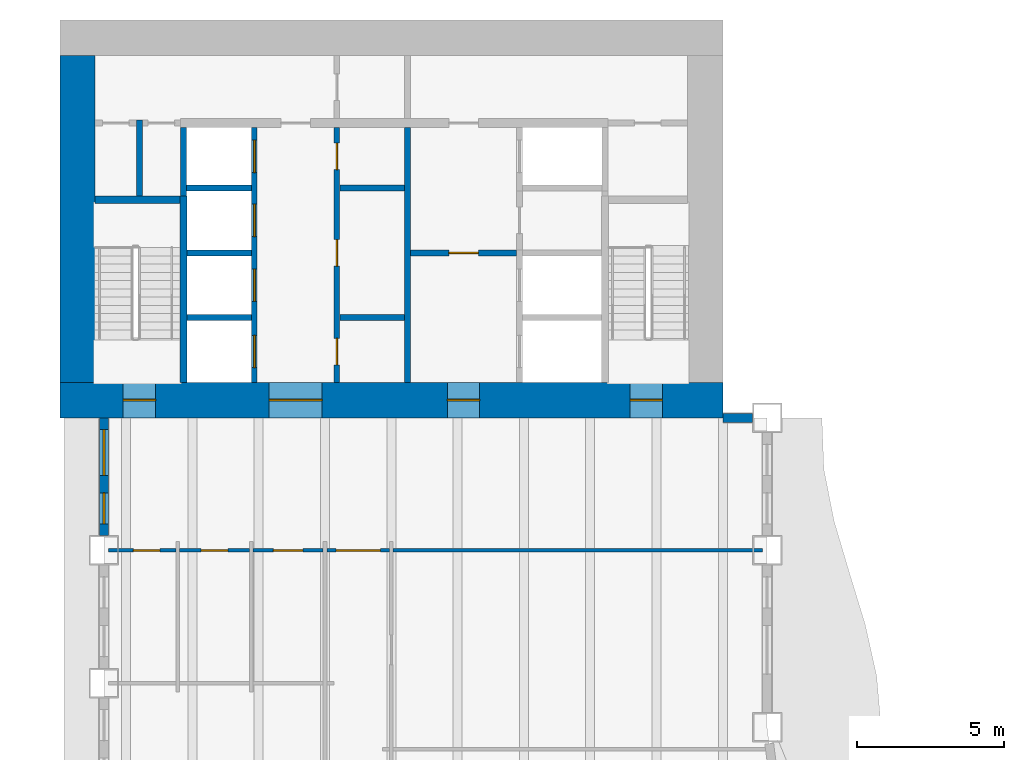
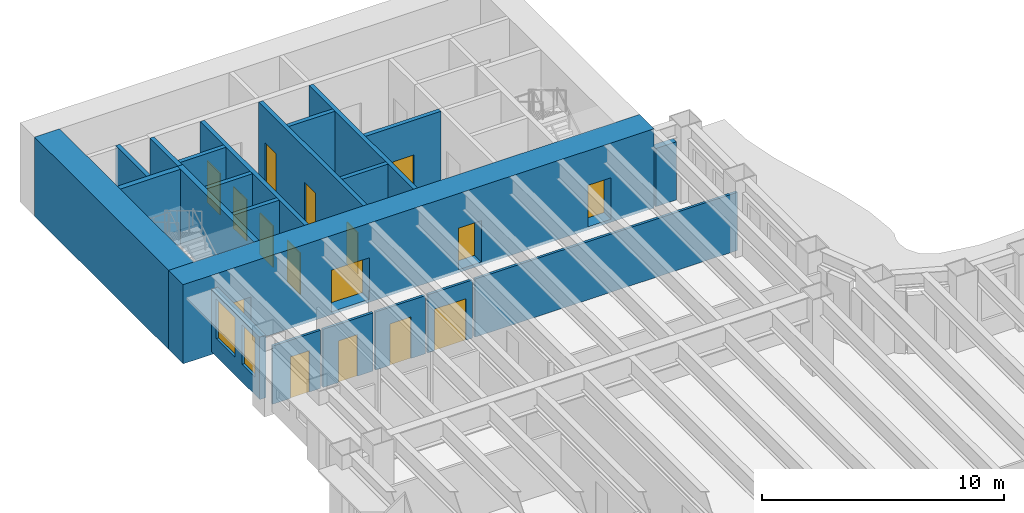
# One storey, part 8 of 16: 22 walls, 16 doors, 2 windows, 18 openings.
"""IFC4 building model written with IfcOpenShell, lengths in metres."""

from ifc_helpers import new_model, si_unit, direction, frame, frame_2d, origin, place, context, subcontext, project, spatial, rectangle, extrude, material, layer, layer_set, type_object, element, fill, save


model = new_model("IFC4")

# Units and contexts
model_context = context("Model", 3, precision=1e-05, world=origin(), true_north=direction((0.0, 1.0)))
body_context = subcontext(model_context, "Body", "Model", "MODEL_VIEW")
ifc_project = project(units=[si_unit("LENGTHUNIT", "METRE"), si_unit("AREAUNIT", "SQUARE_METRE"), si_unit("VOLUMEUNIT", "CUBIC_METRE"), si_unit("PLANEANGLEUNIT", "RADIAN"), si_unit("MASSUNIT", "GRAM", prefix="KILO")], contexts=[model_context])

# Site, building, storey
site_placement = place(None, origin())
site = spatial("IfcSite", under=ifc_project, at=site_placement, CompositionType="ELEMENT")
building_placement = place(site_placement, origin())
building = spatial("IfcBuilding", under=site, at=building_placement, Name="Sennacour Bend Tower", CompositionType="ELEMENT")
storey_placement = place(building_placement, frame((0.0, 0.0, 103.0)))
storey = spatial("IfcBuildingStorey", under=building, at=storey_placement, Name="L23", CompositionType="ELEMENT", Elevation=103.0)

# Wall, openings, doors
ifc_material_1 = material(Name="Concrete C80/95", Category="concrete")
ifc_layer_1 = layer(ifc_material_1, 1.199951171875, Name="Concrete C80/95", Category="concrete")
ifc_layer_set_1 = layer_set([ifc_layer_1], Name="Concrete C80/95")
wall_type_1 = type_object("IfcWallType", Name="Core wall 1200 C80/95", PredefinedType="SHEAR", material=ifc_layer_set_1)
wall_1_placement = place(storey_placement, frame((0.0, 36.60009765625, -0.14990234375), z_axis=(0.0, 0.0, 1.0), x_axis=(1.0, 0.0, 0.0)))
wall_1 = element("IfcWall", 1, at=wall_1_placement, inside=storey, type_object=wall_type_1, Name="Core B wall L23 S", PredefinedType="SHEAR", context=body_context, shape_type="SweptSolid", body=[
    extrude(rectangle(XDim=22.5, YDim=1.199951171875, at=frame_2d((11.25, 0.0))), origin(), (0.0, 0.0, 1.0), 4.0),
])
opening_1_placement = place(wall_1_placement, frame((7.10009765625, 0.0, 0.14990234375)))
opening_1 = element("IfcOpeningElement", 2, at=opening_1_placement, cuts=wall_1, Name="Opening CD", PredefinedType="OPENING", context=body_context, shape_type="SweptSolid", body=[
    extrude(rectangle(XDim=1.800048828125, YDim=2.10009765625, at=frame_2d((0.89990234375, 1.050048828125))), frame((0.0, 0.60986328125, 0.0), z_axis=(0.0, -1.0, 0.0), x_axis=(1.0, 0.0, 0.0)), (0.0, 0.0, 1.0), 1.219970703125),
])
opening_2_placement = place(wall_1_placement, frame((13.14990234375, 0.0, 0.14990234375)))
opening_2 = element("IfcOpeningElement", 3, at=opening_2_placement, cuts=wall_1, Name="Opening FD", PredefinedType="OPENING", context=body_context, shape_type="SweptSolid", body=[
    extrude(rectangle(XDim=1.10009765625, YDim=2.10009765625, at=frame_2d((0.550048828125, 1.050048828125))), frame((0.0, 0.60986328125, 0.0), z_axis=(0.0, -1.0, 0.0), x_axis=(1.0, 0.0, 0.0)), (0.0, 0.0, 1.0), 1.219970703125),
])
opening_3_placement = place(wall_1_placement, frame((2.14990234375, 0.0, 0.14990234375)))
opening_3 = element("IfcOpeningElement", 4, at=opening_3_placement, cuts=wall_1, Name="Opening SD", PredefinedType="OPENING", context=body_context, shape_type="SweptSolid", body=[
    extrude(rectangle(XDim=1.10009765625, YDim=2.10009765625, at=frame_2d((0.550048828125, 1.050048828125))), frame((0.0, 0.60986328125, 0.0), z_axis=(0.0, -1.0, 0.0), x_axis=(1.0, 0.0, 0.0)), (0.0, 0.0, 1.0), 1.219970703125),
])
opening_4_placement = place(wall_1_placement, frame((19.35009765625, 0.0, 0.14990234375)))
opening_4 = element("IfcOpeningElement", 5, at=opening_4_placement, cuts=wall_1, Name="Opening SD", PredefinedType="OPENING", context=body_context, shape_type="SweptSolid", body=[
    extrude(rectangle(XDim=1.10009765625, YDim=2.10009765625, at=frame_2d((0.550048828125, 1.050048828125))), frame((0.0, 0.60986328125, 0.0), z_axis=(0.0, -1.0, 0.0), x_axis=(1.0, 0.0, 0.0)), (0.0, 0.0, 1.0), 1.219970703125),
])
ifc_material_2 = material(Name="Painted steel", Category="steel")
door_type_1 = type_object("IfcDoorType", Name="DR-FFL-1100", OperationType="NOTDEFINED", PredefinedType="DOOR", material=ifc_material_2)
door_1_placement = place(opening_2_placement, origin())
door_1 = element("IfcDoor", 6, at=door_1_placement, inside=storey, type_object=door_type_1, Name="Door", OperationType="SINGLE_SWING_RIGHT", OverallHeight=2.10009765625, OverallWidth=1.10009765625, PredefinedType="DOOR", context=body_context, shape_type="SweptSolid", body=[
    extrude(rectangle(XDim=1.10009765625, YDim=2.10009765625, at=frame_2d((0.550048828125, 1.050048828125))), frame((0.0, 0.02490234375, 0.0), z_axis=(0.0, -1.0, 0.0), x_axis=(1.0, 0.0, 0.0)), (0.0, 0.0, 1.0), 0.050048828125),
])
fill(opening_2, door_1)
door_type_2 = type_object("IfcDoorType", Name="DR-LOBBY-1800", OperationType="NOTDEFINED", PredefinedType="DOOR", material=ifc_material_2)
door_2_placement = place(opening_1_placement, origin())
door_2 = element("IfcDoor", 7, at=door_2_placement, inside=storey, type_object=door_type_2, Name="Door", OperationType="DOUBLE_DOOR_SINGLE_SWING", OverallHeight=2.10009765625, OverallWidth=1.800048828125, PredefinedType="DOOR", context=body_context, shape_type="SweptSolid", body=[
    extrude(rectangle(XDim=1.800048828125, YDim=2.10009765625, at=frame_2d((0.89990234375, 1.050048828125))), frame((0.0, 0.02490234375, 0.0), z_axis=(0.0, -1.0, 0.0), x_axis=(1.0, 0.0, 0.0)), (0.0, 0.0, 1.0), 0.050048828125),
])
fill(opening_1, door_2)
door_type_3 = type_object("IfcDoorType", Name="DR-STAIR-1100", OperationType="NOTDEFINED", PredefinedType="DOOR", material=ifc_material_2)
door_3_placement = place(opening_3_placement, origin())
door_3 = element("IfcDoor", 8, at=door_3_placement, inside=storey, type_object=door_type_3, Name="Door", OperationType="SINGLE_SWING_LEFT", OverallHeight=2.10009765625, OverallWidth=1.10009765625, PredefinedType="DOOR", context=body_context, shape_type="SweptSolid", body=[
    extrude(rectangle(XDim=1.10009765625, YDim=2.10009765625, at=frame_2d((0.550048828125, 1.050048828125))), frame((0.0, 0.02490234375, 0.0), z_axis=(0.0, -1.0, 0.0), x_axis=(1.0, 0.0, 0.0)), (0.0, 0.0, 1.0), 0.050048828125),
])
fill(opening_3, door_3)
door_4_placement = place(opening_4_placement, origin())
door_4 = element("IfcDoor", 9, at=door_4_placement, inside=storey, type_object=door_type_3, Name="Door", OperationType="SINGLE_SWING_RIGHT", OverallHeight=2.10009765625, OverallWidth=1.10009765625, PredefinedType="DOOR", context=body_context, shape_type="SweptSolid", body=[
    extrude(rectangle(XDim=1.10009765625, YDim=2.10009765625, at=frame_2d((0.550048828125, 1.050048828125))), frame((0.0, 0.02490234375, 0.0), z_axis=(0.0, -1.0, 0.0), x_axis=(1.0, 0.0, 0.0)), (0.0, 0.0, 1.0), 0.050048828125),
])
fill(opening_4, door_4)

# Wall
wall_2_placement = place(storey_placement, frame((0.60009765625, 37.199951171875, -0.14990234375), z_axis=(0.0, 0.0, 1.0), x_axis=(0.0, 1.0, 0.0)))
element("IfcWall", 10, at=wall_2_placement, inside=storey, type_object=wall_type_1, Name="Core B wall L23 W", PredefinedType="SHEAR", context=body_context, shape_type="SweptSolid", body=[
    extrude(rectangle(XDim=11.10009765625, YDim=1.199951171875, at=frame_2d((5.550048828125, 0.0))), origin(), (0.0, 0.0, 1.0), 4.0),
])

# Wall, opening, door
ifc_material_3 = material(Name="Plasterboard partition on steel studs", Category="steel")
ifc_layer_2 = layer(ifc_material_3, 0.1201171875, Name="Plasterboard partition on steel studs", Category="steel")
ifc_layer_set_2 = layer_set([ifc_layer_2], Name="Plasterboard partition on steel studs")
wall_type_2 = type_object("IfcWallType", Name="Partition 120", PredefinedType="PARTITIONING", material=ifc_layer_set_2)
wall_3_placement = place(storey_placement, frame((1.64990234375, 31.5, 0.0), z_axis=(0.0, 0.0, 1.0), x_axis=(1.0, 0.0, 0.0)))
wall_3 = element("IfcWall", 11, at=wall_3_placement, inside=storey, type_object=wall_type_2, Name="P-L23-W076aa", PredefinedType="PARTITIONING", context=body_context, shape_type="SweptSolid", body=[
    extrude(rectangle(XDim=2.2900390625, YDim=0.1201171875, at=frame_2d((1.14501953125, 0.0))), origin(), (0.0, 0.0, 1.0), 2.93798828125),
])
opening_5_placement = place(wall_3_placement, frame((0.85009765625, 0.0, 0.0)))
opening_5 = element("IfcOpeningElement", 12, at=opening_5_placement, cuts=wall_3, Name="Opening WD", PredefinedType="OPENING", context=body_context, shape_type="SweptSolid", body=[
    extrude(rectangle(XDim=0.89990234375, YDim=2.10009765625, at=frame_2d((0.449951171875, 1.050048828125))), frame((0.0, 0.070068359375, 0.0), z_axis=(0.0, -1.0, 0.0), x_axis=(1.0, 0.0, 0.0)), (0.0, 0.0, 1.0), 0.14013671875),
])
ifc_material_4 = material(Name="Timber", Category="wood")
door_type_4 = type_object("IfcDoorType", Name="DR-WC-900", OperationType="NOTDEFINED", PredefinedType="DOOR", material=ifc_material_4)
door_5_placement = place(opening_5_placement, origin())
door_5 = element("IfcDoor", 13, at=door_5_placement, inside=storey, type_object=door_type_4, Name="Door", OperationType="SINGLE_SWING_RIGHT", OverallHeight=2.10009765625, OverallWidth=0.89990234375, PredefinedType="DOOR", context=body_context, shape_type="SweptSolid", body=[
    extrude(rectangle(XDim=0.89990234375, YDim=2.10009765625, at=frame_2d((0.449951171875, 1.050048828125))), frame((0.0, 0.02490234375, 0.0), z_axis=(0.0, -1.0, 0.0), x_axis=(1.0, 0.0, 0.0)), (0.0, 0.0, 1.0), 0.050048828125),
])
fill(opening_5, door_5)

wall_4_placement = place(storey_placement, frame((4.06005859375, 31.5, 0.0), z_axis=(0.0, 0.0, 1.0), x_axis=(1.0, 0.0, 0.0)))
wall_4 = element("IfcWall", 14, at=wall_4_placement, inside=storey, type_object=wall_type_2, Name="P-L23-W076ab", PredefinedType="PARTITIONING", context=body_context, shape_type="SweptSolid", body=[
    extrude(rectangle(XDim=2.3798828125, YDim=0.1201171875, at=frame_2d((1.18994140625, 0.0))), origin(), (0.0, 0.0, 1.0), 2.93798828125),
])
opening_6_placement = place(wall_4_placement, frame((0.739990234375, 0.0, 0.0)))
opening_6 = element("IfcOpeningElement", 15, at=opening_6_placement, cuts=wall_4, Name="Opening WD", PredefinedType="OPENING", context=body_context, shape_type="SweptSolid", body=[
    extrude(rectangle(XDim=0.89990234375, YDim=2.10009765625, at=frame_2d((0.449951171875, 1.050048828125))), frame((0.0, 0.070068359375, 0.0), z_axis=(0.0, -1.0, 0.0), x_axis=(1.0, 0.0, 0.0)), (0.0, 0.0, 1.0), 0.14013671875),
])
door_6_placement = place(opening_6_placement, origin())
door_6 = element("IfcDoor", 16, at=door_6_placement, inside=storey, type_object=door_type_4, Name="Door", OperationType="SINGLE_SWING_LEFT", OverallHeight=2.10009765625, OverallWidth=0.89990234375, PredefinedType="DOOR", context=body_context, shape_type="SweptSolid", body=[
    extrude(rectangle(XDim=0.89990234375, YDim=2.10009765625, at=frame_2d((0.449951171875, 1.050048828125))), frame((0.0, 0.02490234375, 0.0), z_axis=(0.0, -1.0, 0.0), x_axis=(1.0, 0.0, 0.0)), (0.0, 0.0, 1.0), 0.050048828125),
])
fill(opening_6, door_6)

wall_5_placement = place(storey_placement, frame((6.56005859375, 31.5, 0.0), z_axis=(0.0, 0.0, 1.0), x_axis=(1.0, 0.0, 0.0)))
wall_5 = element("IfcWall", 17, at=wall_5_placement, inside=storey, type_object=wall_type_2, Name="P-L23-W076ac", PredefinedType="PARTITIONING", context=body_context, shape_type="SweptSolid", body=[
    extrude(rectangle(XDim=2.3798828125, YDim=0.1201171875, at=frame_2d((1.18994140625, 0.0))), origin(), (0.0, 0.0, 1.0), 2.93798828125),
])
opening_7_placement = place(wall_5_placement, frame((0.68994140625, 0.0, 0.0)))
opening_7 = element("IfcOpeningElement", 18, at=opening_7_placement, cuts=wall_5, Name="Opening AD", PredefinedType="OPENING", context=body_context, shape_type="SweptSolid", body=[
    extrude(rectangle(XDim=1.0, YDim=2.10009765625, at=frame_2d((0.5, 1.050048828125))), frame((0.0, 0.070068359375, 0.0), z_axis=(0.0, -1.0, 0.0), x_axis=(1.0, 0.0, 0.0)), (0.0, 0.0, 1.0), 0.14013671875),
])
door_type_5 = type_object("IfcDoorType", Name="DR-ACC-WC-1000", OperationType="NOTDEFINED", PredefinedType="DOOR", material=ifc_material_4)
door_7_placement = place(opening_7_placement, origin())
door_7 = element("IfcDoor", 19, at=door_7_placement, inside=storey, type_object=door_type_5, Name="Door", OperationType="SINGLE_SWING_LEFT", OverallHeight=2.10009765625, OverallWidth=1.0, PredefinedType="DOOR", context=body_context, shape_type="SweptSolid", body=[
    extrude(rectangle(XDim=1.0, YDim=2.10009765625, at=frame_2d((0.5, 1.050048828125))), frame((0.0, 0.02490234375, 0.0), z_axis=(0.0, -1.0, 0.0), x_axis=(1.0, 0.0, 0.0)), (0.0, 0.0, 1.0), 0.050048828125),
])
fill(opening_7, door_7)

# Wall
wall_6_placement = place(storey_placement, frame((11.31005859375, 31.5, 0.0), z_axis=(0.0, 0.0, 1.0), x_axis=(1.0, 0.0, 0.0)))
element("IfcWall", 20, at=wall_6_placement, inside=storey, type_object=wall_type_2, Name="P-L23-W076ae", PredefinedType="PARTITIONING", context=body_context, shape_type="SweptSolid", body=[
    extrude(rectangle(XDim=12.5400390625, YDim=0.1201171875, at=frame_2d((6.27001953125, 0.0))), origin(), (0.0, 0.0, 1.0), 2.93798828125),
])

# Wall, opening, door
ifc_layer_3 = layer(ifc_material_3, 0.1201171875, Name="Plasterboard partition on steel studs", Category="steel")
ifc_layer_set_3 = layer_set([ifc_layer_3], Name="Plasterboard partition on steel studs")
wall_type_3 = type_object("IfcWallType", Name="Partition 120 EI 30", PredefinedType="PARTITIONING", material=ifc_layer_set_3)
wall_7_placement = place(storey_placement, frame((9.06005859375, 31.5, 0.0), z_axis=(0.0, 0.0, 1.0), x_axis=(1.0, 0.0, 0.0)))
wall_7 = element("IfcWall", 21, at=wall_7_placement, inside=storey, type_object=wall_type_3, Name="P-L23-W076ad", PredefinedType="PARTITIONING", context=body_context, shape_type="SweptSolid", body=[
    extrude(rectangle(XDim=2.1298828125, YDim=0.1201171875, at=frame_2d((1.06494140625, 0.0))), origin(), (0.0, 0.0, 1.0), 2.93798828125),
])
opening_8_placement = place(wall_7_placement, frame((0.31494140625, 0.0, 0.0)))
opening_8 = element("IfcOpeningElement", 22, at=opening_8_placement, cuts=wall_7, Name="Opening KD", PredefinedType="OPENING", context=body_context, shape_type="SweptSolid", body=[
    extrude(rectangle(XDim=1.5, YDim=2.10009765625, at=frame_2d((0.75, 1.050048828125))), frame((0.0, 0.070068359375, 0.0), z_axis=(0.0, -1.0, 0.0), x_axis=(1.0, 0.0, 0.0)), (0.0, 0.0, 1.0), 0.14013671875),
])
door_type_6 = type_object("IfcDoorType", Name="DR-CORRIDOR-1500", OperationType="NOTDEFINED", PredefinedType="DOOR", material=ifc_material_2)
door_8_placement = place(opening_8_placement, origin())
door_8 = element("IfcDoor", 23, at=door_8_placement, inside=storey, type_object=door_type_6, Name="Door", OperationType="SINGLE_SWING_LEFT", OverallHeight=2.10009765625, OverallWidth=1.5, PredefinedType="DOOR", context=body_context, shape_type="SweptSolid", body=[
    extrude(rectangle(XDim=1.5, YDim=2.10009765625, at=frame_2d((0.75, 1.050048828125))), frame((0.0, 0.02490234375, 0.0), z_axis=(0.0, -1.0, 0.0), x_axis=(1.0, 0.0, 0.0)), (0.0, 0.0, 1.0), 0.050048828125),
])
fill(opening_8, door_8)

# Wall
ifc_material_5 = material(Name="Fire-rated plasterboard partition on steel studs", Category="steel")
ifc_layer_4 = layer(ifc_material_5, 0.199951171875, Name="Fire-rated plasterboard partition on steel studs", Category="steel")
ifc_layer_set_4 = layer_set([ifc_layer_4], Name="Fire-rated plasterboard partition on steel studs")
wall_type_4 = type_object("IfcWallType", Name="Rated partition 200", PredefinedType="PARTITIONING", material=ifc_layer_set_4)
wall_8_placement = place(storey_placement, frame((2.699951171875, 43.52490234375, 0.0), z_axis=(0.0, 0.0, 1.0), x_axis=(0.0, 1.0, 0.0)))
element("IfcWall", 24, at=wall_8_placement, inside=storey, type_object=wall_type_4, Name="P-L23-W004", PredefinedType="PARTITIONING", context=body_context, shape_type="SweptSolid", body=[
    extrude(rectangle(XDim=2.5751953125, YDim=0.199951171875, at=frame_2d((1.28759765625, 0.0))), origin(), (0.0, 0.0, 1.0), 3.85009765625),
])

# Wall, openings, doors
wall_9_placement = place(storey_placement, frame((9.39990234375, 37.199951171875, 0.0), z_axis=(0.0, 0.0, 1.0), x_axis=(0.0, 1.0, 0.0)))
wall_9 = element("IfcWall", 25, at=wall_9_placement, inside=storey, type_object=wall_type_4, Name="P-L23-W012a", PredefinedType="PARTITIONING", context=body_context, shape_type="SweptSolid", body=[
    extrude(rectangle(XDim=8.650146484375, YDim=0.199951171875, at=frame_2d((4.3251953125, 0.0))), origin(), (0.0, 0.0, 1.0), 3.85009765625),
])
opening_9_placement = place(wall_9_placement, frame((0.60009765625, 0.0, 0.0)))
opening_9 = element("IfcOpeningElement", 26, at=opening_9_placement, cuts=wall_9, Name="Opening SV", PredefinedType="OPENING", context=body_context, shape_type="SweptSolid", body=[
    extrude(rectangle(XDim=0.89990234375, YDim=2.10009765625, at=frame_2d((0.449951171875, 1.050048828125))), frame((0.0, 0.10986328125, 0.0), z_axis=(0.0, -1.0, 0.0), x_axis=(1.0, 0.0, 0.0)), (0.0, 0.0, 1.0), 0.219970703125),
])
opening_10_placement = place(wall_9_placement, frame((3.949951171875, 0.0, 0.0)))
opening_10 = element("IfcOpeningElement", 27, at=opening_10_placement, cuts=wall_9, Name="Opening WD", PredefinedType="OPENING", context=body_context, shape_type="SweptSolid", body=[
    extrude(rectangle(XDim=0.89990234375, YDim=2.10009765625, at=frame_2d((0.449951171875, 1.050048828125))), frame((0.0, 0.10986328125, 0.0), z_axis=(0.0, -1.0, 0.0), x_axis=(1.0, 0.0, 0.0)), (0.0, 0.0, 1.0), 0.219970703125),
])
opening_11_placement = place(wall_9_placement, frame((7.22509765625, 0.0, 0.0)))
opening_11 = element("IfcOpeningElement", 28, at=opening_11_placement, cuts=wall_9, Name="Opening SV", PredefinedType="OPENING", context=body_context, shape_type="SweptSolid", body=[
    extrude(rectangle(XDim=0.89990234375, YDim=2.10009765625, at=frame_2d((0.449951171875, 1.050048828125))), frame((0.0, 0.10986328125, 0.0), z_axis=(0.0, -1.0, 0.0), x_axis=(1.0, 0.0, 0.0)), (0.0, 0.0, 1.0), 0.219970703125),
])
door_type_7 = type_object("IfcDoorType", Name="DR-SERVICE-900", OperationType="NOTDEFINED", PredefinedType="DOOR", material=ifc_material_2)
door_9_placement = place(opening_9_placement, origin())
door_9 = element("IfcDoor", 29, at=door_9_placement, inside=storey, type_object=door_type_7, Name="Door", OperationType="SINGLE_SWING_LEFT", OverallHeight=2.10009765625, OverallWidth=0.89990234375, PredefinedType="DOOR", context=body_context, shape_type="SweptSolid", body=[
    extrude(rectangle(XDim=0.89990234375, YDim=2.10009765625, at=frame_2d((0.449951171875, 1.050048828125))), frame((0.0, 0.02490234375, 0.0), z_axis=(0.0, -1.0, 0.0), x_axis=(1.0, 0.0, 0.0)), (0.0, 0.0, 1.0), 0.050048828125),
])
fill(opening_9, door_9)
door_10_placement = place(opening_11_placement, origin())
door_10 = element("IfcDoor", 30, at=door_10_placement, inside=storey, type_object=door_type_7, Name="Door", OperationType="SINGLE_SWING_RIGHT", OverallHeight=2.10009765625, OverallWidth=0.89990234375, PredefinedType="DOOR", context=body_context, shape_type="SweptSolid", body=[
    extrude(rectangle(XDim=0.89990234375, YDim=2.10009765625, at=frame_2d((0.449951171875, 1.050048828125))), frame((0.0, 0.02490234375, 0.0), z_axis=(0.0, -1.0, 0.0), x_axis=(1.0, 0.0, 0.0)), (0.0, 0.0, 1.0), 0.050048828125),
])
fill(opening_11, door_10)
door_11_placement = place(opening_10_placement, origin())
door_11 = element("IfcDoor", 31, at=door_11_placement, inside=storey, type_object=door_type_4, Name="Door", OperationType="SINGLE_SWING_RIGHT", OverallHeight=2.10009765625, OverallWidth=0.89990234375, PredefinedType="DOOR", context=body_context, shape_type="SweptSolid", body=[
    extrude(rectangle(XDim=0.89990234375, YDim=2.10009765625, at=frame_2d((0.449951171875, 1.050048828125))), frame((0.0, 0.02490234375, 0.0), z_axis=(0.0, -1.0, 0.0), x_axis=(1.0, 0.0, 0.0)), (0.0, 0.0, 1.0), 0.050048828125),
])
fill(opening_10, door_11)

# Walls
wall_10_placement = place(storey_placement, frame((11.800048828125, 37.199951171875, 0.0), z_axis=(0.0, 0.0, 1.0), x_axis=(0.0, 1.0, 0.0)))
element("IfcWall", 32, at=wall_10_placement, inside=storey, type_object=wall_type_4, Name="P-L23-W014a", PredefinedType="PARTITIONING", context=body_context, shape_type="SweptSolid", body=[
    extrude(rectangle(XDim=8.650146484375, YDim=0.199951171875, at=frame_2d((4.3251953125, 0.0))), origin(), (0.0, 0.0, 1.0), 3.85009765625),
])
for number, where, z_axis, x_axis, name in (
    (33, (9.5, 39.39990234375, 0.0), (0.0, 0.0, 1.0), (1.0, 0.0, 0.0), "P-L23-W079"),
    (34, (9.5, 43.800048828125, 0.0), (0.0, 0.0, 1.0), (1.0, 0.0, 0.0), "P-L23-W087"),
):
    element("IfcWall", number, at=place(storey_placement, frame(where, z_axis=z_axis, x_axis=x_axis)), inside=storey, type_object=wall_type_4, Name=name, PredefinedType="PARTITIONING", context=body_context, shape_type="SweptSolid", body=[
        extrude(rectangle(XDim=2.199951171875, YDim=0.199951171875, at=frame_2d((1.10009765625, 0.0))), origin(), (0.0, 0.0, 1.0), 3.85009765625),
    ])

# Wall, opening, door
ifc_layer_5 = layer(ifc_material_5, 0.199951171875, Name="Fire-rated plasterboard partition on steel studs", Category="steel")
ifc_layer_set_5 = layer_set([ifc_layer_5], Name="Fire-rated plasterboard partition on steel studs")
wall_type_5 = type_object("IfcWallType", Name="Rated partition 200 EI 90", PredefinedType="PARTITIONING", material=ifc_layer_set_5)
wall_11_placement = place(storey_placement, frame((11.89990234375, 41.60009765625, 0.0), z_axis=(0.0, 0.0, 1.0), x_axis=(1.0, 0.0, 0.0)))
wall_11 = element("IfcWall", 35, at=wall_11_placement, inside=storey, type_object=wall_type_5, Name="P-L23-W082", PredefinedType="PARTITIONING", context=body_context, shape_type="SweptSolid", body=[
    extrude(rectangle(XDim=3.60009765625, YDim=0.199951171875, at=frame_2d((1.800048828125, 0.0))), origin(), (0.0, 0.0, 1.0), 3.85009765625),
])
opening_12_placement = place(wall_11_placement, frame((1.300048828125, 0.0, 0.0)))
opening_12 = element("IfcOpeningElement", 36, at=opening_12_placement, cuts=wall_11, Name="Opening FD2", PredefinedType="OPENING", context=body_context, shape_type="SweptSolid", body=[
    extrude(rectangle(XDim=1.0, YDim=2.10009765625, at=frame_2d((0.5, 1.050048828125))), frame((0.0, 0.10986328125, 0.0), z_axis=(0.0, -1.0, 0.0), x_axis=(1.0, 0.0, 0.0)), (0.0, 0.0, 1.0), 0.219970703125),
])
door_type_8 = type_object("IfcDoorType", Name="DR-FFL-1000", OperationType="NOTDEFINED", PredefinedType="DOOR", material=ifc_material_2)
door_12_placement = place(opening_12_placement, origin())
door_12 = element("IfcDoor", 37, at=door_12_placement, inside=storey, type_object=door_type_8, Name="Door", OperationType="SINGLE_SWING_LEFT", OverallHeight=2.10009765625, OverallWidth=1.0, PredefinedType="DOOR", context=body_context, shape_type="SweptSolid", body=[
    extrude(rectangle(XDim=1.0, YDim=2.10009765625, at=frame_2d((0.5, 1.050048828125))), frame((0.0, 0.02490234375, 0.0), z_axis=(0.0, -1.0, 0.0), x_axis=(1.0, 0.0, 0.0)), (0.0, 0.0, 1.0), 0.050048828125),
])
fill(opening_12, door_12)

# Wall
ifc_material_6 = material(Name="Warm limestone cladding", Category="masonry")
ifc_layer_6 = layer(ifc_material_6, 0.050048828125, Name="Warm limestone cladding", Category="masonry")
ifc_material_7 = material(Name="Precast concrete C40/50", Category="concrete")
ifc_layer_7 = layer(ifc_material_7, 0.25, Name="Precast concrete C40/50", Category="concrete")
ifc_layer_set_6 = layer_set([ifc_layer_6, ifc_layer_7], Name="Precast concrete C40/50 with limestone cladding")
wall_type_6 = type_object("IfcWallType", Name="STONE-CLAD PRECAST SPANDREL 300", PredefinedType="STANDARD", material=ifc_layer_set_6)
wall_12_placement = place(storey_placement, frame((23.5, 36.0, 0.0), z_axis=(0.0, 0.0, 1.0), x_axis=(-1.0, 0.0, 0.0)))
element("IfcWall", 38, at=wall_12_placement, inside=storey, type_object=wall_type_6, Name="Stone spandrel and pier wall L23 14.00", PredefinedType="STANDARD", context=body_context, shape_type="SweptSolid", body=[
    extrude(rectangle(XDim=1.0, YDim=0.300048828125, at=frame_2d((0.5, 0.0))), origin(), (0.0, 0.0, 1.0), 2.93798828125),
])

# Wall, openings, windows
wall_13_placement = place(storey_placement, frame((1.5, 36.0, 0.0), z_axis=(0.0, 0.0, 1.0), x_axis=(0.0, -1.0, 0.0)))
wall_13 = element("IfcWall", 39, at=wall_13_placement, inside=storey, type_object=wall_type_6, Name="Stone spandrel and pier wall L23 19.00", PredefinedType="STANDARD", context=body_context, shape_type="SweptSolid", body=[
    extrude(rectangle(XDim=4.0, YDim=0.300048828125, at=frame_2d((2.0, 0.0))), origin(), (0.0, 0.0, 1.0), 3.154052734375),
])
opening_13_placement = place(wall_13_placement, frame((0.39990234375, 0.0, 0.89990234375)))
opening_13 = element("IfcOpeningElement", 40, at=opening_13_placement, cuts=wall_13, Name="Opening W9", PredefinedType="OPENING", context=body_context, shape_type="SweptSolid", body=[
    extrude(rectangle(XDim=1.550048828125, YDim=2.0, at=frame_2d((0.77490234375, 1.0))), frame((0.0, 0.16015625, 0.0), z_axis=(0.0, -1.0, 0.0), x_axis=(1.0, 0.0, 0.0)), (0.0, 0.0, 1.0), 0.320068359375),
])
opening_14_placement = place(wall_13_placement, frame((2.550048828125, 0.0, 0.89990234375)))
opening_14 = element("IfcOpeningElement", 41, at=opening_14_placement, cuts=wall_13, Name="Opening W13", PredefinedType="OPENING", context=body_context, shape_type="SweptSolid", body=[
    extrude(rectangle(XDim=1.050048828125, YDim=2.0, at=frame_2d((0.52490234375, 1.0))), frame((0.0, 0.16015625, 0.0), z_axis=(0.0, -1.0, 0.0), x_axis=(1.0, 0.0, 0.0)), (0.0, 0.0, 1.0), 0.320068359375),
])
ifc_material_8 = material(Name="Clear low-emissivity glass", Category="glass")
window_type_1 = type_object("IfcWindowType", Name="WIN-RIBBON-1050x2000", PartitioningType="SINGLE_PANEL", PredefinedType="WINDOW", material=ifc_material_8)
window_1_placement = place(opening_14_placement, origin())
window_1 = element("IfcWindow", 42, at=window_1_placement, inside=storey, type_object=window_type_1, Name="Ribbon window L23 19.00.1", OverallHeight=2.0, OverallWidth=1.050048828125, PartitioningType="SINGLE_PANEL", PredefinedType="WINDOW", context=body_context, shape_type="SweptSolid", body=[
    extrude(rectangle(XDim=1.050048828125, YDim=2.0, at=frame_2d((0.52490234375, 1.0))), frame((0.0, 0.030029296875, 0.0), z_axis=(0.0, -1.0, 0.0), x_axis=(1.0, 0.0, 0.0)), (0.0, 0.0, 1.0), 0.06005859375),
])
fill(opening_14, window_1)
window_type_2 = type_object("IfcWindowType", Name="WIN-RIBBON-1550x2000", PartitioningType="SINGLE_PANEL", PredefinedType="WINDOW", material=ifc_material_8)
window_2_placement = place(opening_13_placement, origin())
window_2 = element("IfcWindow", 43, at=window_2_placement, inside=storey, type_object=window_type_2, Name="Ribbon window L23 19.00.0", OverallHeight=2.0, OverallWidth=1.550048828125, PartitioningType="SINGLE_PANEL", PredefinedType="WINDOW", context=body_context, shape_type="SweptSolid", body=[
    extrude(rectangle(XDim=1.550048828125, YDim=2.0, at=frame_2d((0.77490234375, 1.0))), frame((0.0, 0.030029296875, 0.0), z_axis=(0.0, -1.0, 0.0), x_axis=(1.0, 0.0, 0.0)), (0.0, 0.0, 1.0), 0.06005859375),
])
fill(opening_13, window_2)

# Wall
ifc_material_9 = material(Name="Concrete C50/60", Category="concrete")
ifc_layer_8 = layer(ifc_material_9, 0.199951171875, Name="Concrete C50/60", Category="concrete")
ifc_layer_set_7 = layer_set([ifc_layer_8], Name="Concrete C50/60")
wall_type_7 = type_object("IfcWallType", Name="Shaft wall 200", PredefinedType="SOLIDWALL", material=ifc_layer_set_7)
wall_14_placement = place(storey_placement, frame((4.199951171875, 43.52490234375, 0.0), z_axis=(0.0, 0.0, 1.0), x_axis=(0.0, 1.0, 0.0)))
element("IfcWall", 44, at=wall_14_placement, inside=storey, type_object=wall_type_7, Name="P-L23-W007", PredefinedType="SOLIDWALL", context=body_context, shape_type="SweptSolid", body=[
    extrude(rectangle(XDim=2.3251953125, YDim=0.199951171875, at=frame_2d((1.16259765625, 0.0))), origin(), (0.0, 0.0, 1.0), 3.85009765625),
])

# Wall, openings, doors
wall_15_placement = place(storey_placement, frame((6.60009765625, 37.199951171875, 0.0), z_axis=(0.0, 0.0, 1.0), x_axis=(0.0, 1.0, 0.0)))
wall_15 = element("IfcWall", 45, at=wall_15_placement, inside=storey, type_object=wall_type_7, Name="P-L23-W009", PredefinedType="SOLIDWALL", context=body_context, shape_type="SweptSolid", body=[
    extrude(rectangle(XDim=8.650146484375, YDim=0.199951171875, at=frame_2d((4.3251953125, 0.0))), origin(), (0.0, 0.0, 1.0), 3.85009765625),
])
opening_15_placement = place(wall_15_placement, frame((0.5, 0.0, 0.011962890625)))
opening_15 = element("IfcOpeningElement", 46, at=opening_15_placement, cuts=wall_15, Name="Opening LD", PredefinedType="OPENING", context=body_context, shape_type="SweptSolid", body=[
    extrude(rectangle(XDim=1.10009765625, YDim=2.10009765625, at=frame_2d((0.550048828125, 1.050048828125))), frame((0.0, 0.10986328125, 0.0), z_axis=(0.0, -1.0, 0.0), x_axis=(1.0, 0.0, 0.0)), (0.0, 0.0, 1.0), 0.219970703125),
])
opening_16_placement = place(wall_15_placement, frame((2.75, 0.0, 0.011962890625)))
opening_16 = element("IfcOpeningElement", 47, at=opening_16_placement, cuts=wall_15, Name="Opening LD", PredefinedType="OPENING", context=body_context, shape_type="SweptSolid", body=[
    extrude(rectangle(XDim=1.10009765625, YDim=2.10009765625, at=frame_2d((0.550048828125, 1.050048828125))), frame((0.0, 0.10986328125, 0.0), z_axis=(0.0, -1.0, 0.0), x_axis=(1.0, 0.0, 0.0)), (0.0, 0.0, 1.0), 0.219970703125),
])
opening_17_placement = place(wall_15_placement, frame((4.949951171875, 0.0, 0.011962890625)))
opening_17 = element("IfcOpeningElement", 48, at=opening_17_placement, cuts=wall_15, Name="Opening LD", PredefinedType="OPENING", context=body_context, shape_type="SweptSolid", body=[
    extrude(rectangle(XDim=1.10009765625, YDim=2.10009765625, at=frame_2d((0.550048828125, 1.050048828125))), frame((0.0, 0.10986328125, 0.0), z_axis=(0.0, -1.0, 0.0), x_axis=(1.0, 0.0, 0.0)), (0.0, 0.0, 1.0), 0.219970703125),
])
opening_18_placement = place(wall_15_placement, frame((7.125, 0.0, 0.011962890625)))
opening_18 = element("IfcOpeningElement", 49, at=opening_18_placement, cuts=wall_15, Name="Opening LD", PredefinedType="OPENING", context=body_context, shape_type="SweptSolid", body=[
    extrude(rectangle(XDim=1.10009765625, YDim=2.10009765625, at=frame_2d((0.550048828125, 1.050048828125))), frame((0.0, 0.10986328125, 0.0), z_axis=(0.0, -1.0, 0.0), x_axis=(1.0, 0.0, 0.0)), (0.0, 0.0, 1.0), 0.219970703125),
])
ifc_material_10 = material(Name="Stainless steel", Category="steel")
door_type_9 = type_object("IfcDoorType", Name="DR-LANDING-1100", OperationType="NOTDEFINED", PredefinedType="DOOR", material=ifc_material_10)
door_13_placement = place(opening_15_placement, origin())
door_13 = element("IfcDoor", 50, at=door_13_placement, inside=storey, type_object=door_type_9, Name="Lift landing door LB1", OperationType="SLIDING_TO_LEFT", OverallHeight=2.10009765625, OverallWidth=1.10009765625, PredefinedType="DOOR", context=body_context, shape_type="SweptSolid", body=[
    extrude(rectangle(XDim=1.10009765625, YDim=2.10009765625, at=frame_2d((0.550048828125, 1.050048828125))), frame((0.0, 0.02490234375, 0.0), z_axis=(0.0, -1.0, 0.0), x_axis=(1.0, 0.0, 0.0)), (0.0, 0.0, 1.0), 0.050048828125),
])
fill(opening_15, door_13)
door_14_placement = place(opening_16_placement, origin())
door_14 = element("IfcDoor", 51, at=door_14_placement, inside=storey, type_object=door_type_9, Name="Lift landing door LB2", OperationType="SLIDING_TO_RIGHT", OverallHeight=2.10009765625, OverallWidth=1.10009765625, PredefinedType="DOOR", context=body_context, shape_type="SweptSolid", body=[
    extrude(rectangle(XDim=1.10009765625, YDim=2.10009765625, at=frame_2d((0.550048828125, 1.050048828125))), frame((0.0, 0.02490234375, 0.0), z_axis=(0.0, -1.0, 0.0), x_axis=(1.0, 0.0, 0.0)), (0.0, 0.0, 1.0), 0.050048828125),
])
fill(opening_16, door_14)
door_15_placement = place(opening_17_placement, origin())
door_15 = element("IfcDoor", 52, at=door_15_placement, inside=storey, type_object=door_type_9, Name="Lift landing door LB3", OperationType="SLIDING_TO_LEFT", OverallHeight=2.10009765625, OverallWidth=1.10009765625, PredefinedType="DOOR", context=body_context, shape_type="SweptSolid", body=[
    extrude(rectangle(XDim=1.10009765625, YDim=2.10009765625, at=frame_2d((0.550048828125, 1.050048828125))), frame((0.0, 0.02490234375, 0.0), z_axis=(0.0, -1.0, 0.0), x_axis=(1.0, 0.0, 0.0)), (0.0, 0.0, 1.0), 0.050048828125),
])
fill(opening_17, door_15)
door_16_placement = place(opening_18_placement, origin())
door_16 = element("IfcDoor", 53, at=door_16_placement, inside=storey, type_object=door_type_9, Name="Lift landing door LB4", OperationType="SLIDING_TO_RIGHT", OverallHeight=2.10009765625, OverallWidth=1.10009765625, PredefinedType="DOOR", context=body_context, shape_type="SweptSolid", body=[
    extrude(rectangle(XDim=1.10009765625, YDim=2.10009765625, at=frame_2d((0.550048828125, 1.050048828125))), frame((0.0, 0.02490234375, 0.0), z_axis=(0.0, -1.0, 0.0), x_axis=(1.0, 0.0, 0.0)), (0.0, 0.0, 1.0), 0.050048828125),
])
fill(opening_18, door_16)

# Walls
for number, where, z_axis, x_axis, name in (
    (54, (4.324951171875, 39.39990234375, 0.0), (0.0, 0.0, 1.0), (1.0, 0.0, 0.0), "P-L23-W078"),
    (55, (4.324951171875, 41.60009765625, 0.0), (0.0, 0.0, 1.0), (1.0, 0.0, 0.0), "P-L23-W081"),
):
    element("IfcWall", number, at=place(storey_placement, frame(where, z_axis=z_axis, x_axis=x_axis)), inside=storey, type_object=wall_type_7, Name=name, PredefinedType="SOLIDWALL", context=body_context, shape_type="SweptSolid", body=[
        extrude(rectangle(XDim=2.175048828125, YDim=0.199951171875, at=frame_2d((1.08740234375, 0.0))), origin(), (0.0, 0.0, 1.0), 3.85009765625),
    ])
wall_16_placement = place(storey_placement, frame((4.300048828125, 43.800048828125, 0.0), z_axis=(0.0, 0.0, 1.0), x_axis=(1.0, 0.0, 0.0)))
element("IfcWall", 56, at=wall_16_placement, inside=storey, type_object=wall_type_7, Name="P-L23-W086", PredefinedType="SOLIDWALL", context=body_context, shape_type="SweptSolid", body=[
    extrude(rectangle(XDim=2.199951171875, YDim=0.199951171875, at=frame_2d((1.10009765625, 0.0))), origin(), (0.0, 0.0, 1.0), 3.85009765625),
])
ifc_material_11 = material(Name="Concrete C60/75", Category="concrete")
ifc_layer_9 = layer(ifc_material_11, 0.25, Name="Concrete C60/75", Category="concrete")
ifc_layer_set_8 = layer_set([ifc_layer_9], Name="Concrete C60/75")
wall_type_8 = type_object("IfcWallType", Name="Stair wall 250", PredefinedType="SHEAR", material=ifc_layer_set_8)
wall_17_placement = place(storey_placement, frame((4.199951171875, 37.199951171875, 0.0), z_axis=(0.0, 0.0, 1.0), x_axis=(0.0, 1.0, 0.0)))
element("IfcWall", 57, at=wall_17_placement, inside=storey, type_object=wall_type_8, Name="P-L23-W006", PredefinedType="SHEAR", context=body_context, shape_type="SweptSolid", body=[
    extrude(rectangle(XDim=6.324951171875, YDim=0.25, at=frame_2d((3.16259765625, 0.0))), origin(), (0.0, 0.0, 1.0), 3.85009765625),
])
wall_18_placement = place(storey_placement, frame((1.199951171875, 43.39990234375, 0.0), z_axis=(0.0, 0.0, 1.0), x_axis=(1.0, 0.0, 0.0)))
element("IfcWall", 58, at=wall_18_placement, inside=storey, type_object=wall_type_8, Name="P-L23-W084", PredefinedType="SHEAR", context=body_context, shape_type="SweptSolid", body=[
    extrude(rectangle(XDim=2.875, YDim=0.25, at=frame_2d((1.4375, 0.0))), origin(), (0.0, 0.0, 1.0), 3.85009765625),
])

save(model, "model.ifc")
